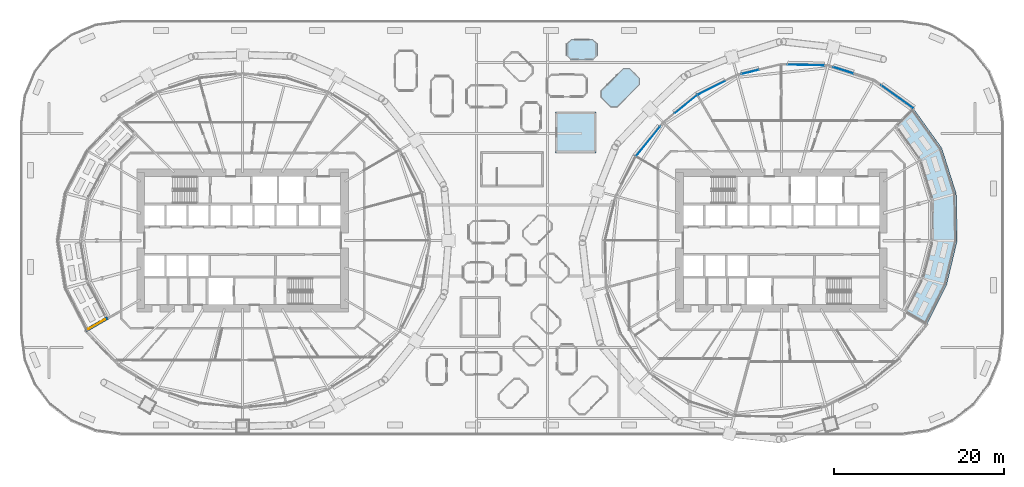
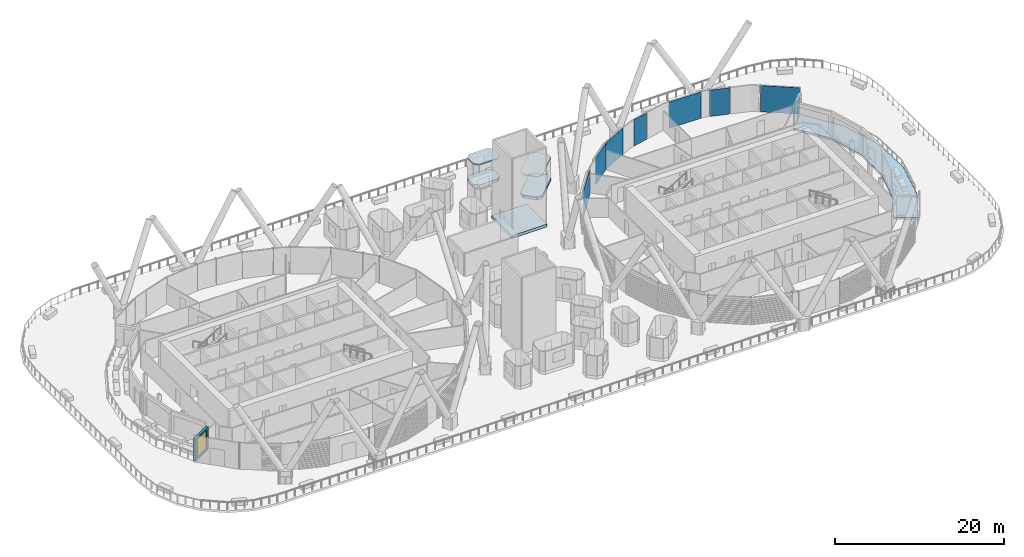
# One storey, part 23 of 47: 7 plates, 6 slabs, 1 wall, 1 window, 1 opening, 1 element without a shape of its own.
"""IFC4 building model written with IfcOpenShell, lengths in metres."""

from ifc_helpers import new_model, si_unit, direction, frame, frame_2d, origin, origin_2d, place, context, subcontext, project, spatial, polyline, rectangle, outline, extrude, material, layer, layer_set, type_object, element, fill, aggregate, save


model = new_model("IFC4")

# Units and contexts
model_context = context("Model", 3, precision=1e-05, world=origin(), true_north=direction((0.0, 1.0)))
body_context = subcontext(model_context, "Body", "Model", "MODEL_VIEW")
ifc_project = project(units=[si_unit("LENGTHUNIT", "METRE"), si_unit("AREAUNIT", "SQUARE_METRE"), si_unit("VOLUMEUNIT", "CUBIC_METRE"), si_unit("PLANEANGLEUNIT", "RADIAN"), si_unit("MASSUNIT", "GRAM", prefix="KILO")], contexts=[model_context])

# Site, building, storey
site_placement = place(None, origin())
site = spatial("IfcSite", under=ifc_project, at=site_placement, CompositionType="ELEMENT")
building_placement = place(site_placement, origin())
building = spatial("IfcBuilding", under=site, at=building_placement, Name="Rimbun Link Towers", CompositionType="ELEMENT")
storey_placement = place(building_placement, frame((0.0, 0.0, 30.0)))
storey = spatial("IfcBuildingStorey", under=building, at=storey_placement, Name="L06", CompositionType="ELEMENT", Elevation=30.0)

# Slabs
ifc_material_1 = material(Name="Concrete C40/50", Category="concrete")
ifc_layer_1 = layer(ifc_material_1, 0.409912109375)
ifc_layer_set_1 = layer_set([ifc_layer_1], Name="CAPSULE plinth slab 410")
slab_type_1 = type_object("IfcSlabType", Name="CAPSULE plinth slab 410", PredefinedType="FLOOR", material=ifc_layer_set_1)
slab_1_placement = place(storey_placement, origin())
element("IfcSlab", 1, at=slab_1_placement, inside=storey, type_object=slab_type_1, Name="Service trunk 2 plinth slab", PredefinedType="FLOOR", context=body_context, shape_type="SweptSolid", body=[
    extrude(outline(polyline([(5.10009765625, 10.35009765625), (9.89990234375, 10.35009765625), (9.89990234375, 15.14990234375), (5.10009765625, 15.14990234375), (5.10009765625, 10.35009765625)])), origin(), (0.0, 0.0, 1.0), 0.409912109375),
])
slab_2_placement = place(storey_placement, origin())
element("IfcSlab", 2, at=slab_2_placement, inside=storey, type_object=slab_type_1, Name="CAPSULE P17 floor panel", PredefinedType="FLOOR", context=body_context, shape_type="SweptSolid", body=[
    extrude(outline(polyline([(13.86669921875, 20.27734375), (13.1181640625, 20.27734375), (10.47265625, 17.6318359375), (10.47265625, 16.88330078125), (11.63330078125, 15.72265625), (12.3818359375, 15.72265625), (15.02734375, 18.3681640625), (15.02734375, 19.11669921875), (13.86669921875, 20.27734375)])), origin(), (0.0, 0.0, 1.0), 0.409912109375),
])
slab_3_placement = place(storey_placement, origin())
element("IfcSlab", 3, at=slab_3_placement, inside=storey, type_object=slab_type_1, Name="CAPSULE P20 floor panel", PredefinedType="FLOOR", context=body_context, shape_type="SweptSolid", body=[
    extrude(outline(polyline([(10.050048828125, 23.170654296875), (9.520751953125, 23.699951171875), (6.979248046875, 23.699951171875), (6.449951171875, 23.170654296875), (6.449951171875, 21.829345703125), (6.979248046875, 21.300048828125), (9.520751953125, 21.300048828125), (10.050048828125, 21.829345703125), (10.050048828125, 23.170654296875)])), origin(), (0.0, 0.0, 1.0), 0.409912109375),
])
ifc_material_2 = material(Name="Insulated metal roof panel with terracotta fascia", Category="masonry")
ifc_layer_2 = layer(ifc_material_2, 0.14990234375)
ifc_layer_set_2 = layer_set([ifc_layer_2], Name="CAPSULE roof panel 150")
slab_type_2 = type_object("IfcSlabType", Name="CAPSULE roof panel 150", PredefinedType="ROOF", material=ifc_layer_set_2)
slab_4_placement = place(storey_placement, frame((0.0, 0.0, 3.260009765625)))
element("IfcSlab", 4, at=slab_4_placement, inside=storey, type_object=slab_type_2, Name="CAPSULE P17 roof panel", PredefinedType="ROOF", context=body_context, shape_type="SweptSolid", body=[
    extrude(outline(polyline([(13.86669921875, 20.27734375), (13.1181640625, 20.27734375), (10.47265625, 17.6318359375), (10.47265625, 16.88330078125), (11.63330078125, 15.72265625), (12.3818359375, 15.72265625), (15.02734375, 18.3681640625), (15.02734375, 19.11669921875), (13.86669921875, 20.27734375)])), origin(), (0.0, 0.0, 1.0), 0.14990234375),
])
slab_5_placement = place(storey_placement, frame((0.0, 0.0, 3.260009765625)))
element("IfcSlab", 5, at=slab_5_placement, inside=storey, type_object=slab_type_2, Name="CAPSULE P20 roof panel", PredefinedType="ROOF", context=body_context, shape_type="SweptSolid", body=[
    extrude(outline(polyline([(10.050048828125, 23.170654296875), (9.520751953125, 23.699951171875), (6.979248046875, 23.699951171875), (6.449951171875, 23.170654296875), (6.449951171875, 21.829345703125), (6.979248046875, 21.300048828125), (9.520751953125, 21.300048828125), (10.050048828125, 21.829345703125), (10.050048828125, 23.170654296875)])), origin(), (0.0, 0.0, 1.0), 0.14990234375),
])

# Curtain wall, plates
ifc_material_3 = material(Name="Aluminium 6063-T6 and low-iron glass", Category="aluminium")
curtain_wall_type = type_object("IfcCurtainWallType", Name="CW1 unitised vision wall", PredefinedType="NOTDEFINED", material=ifc_material_3)
curtain_wall_placement = place(storey_placement, origin())
curtain_wall = element("IfcCurtainWall", 6, at=curtain_wall_placement, inside=storey, type_object=curtain_wall_type, Name="CW1 L06 T2", PredefinedType="NOTDEFINED")
ifc_material_4 = material(Name="Low-iron glass, laminated low-e unit", Category="glass")
ifc_layer_3 = layer(ifc_material_4, 0.028076171875)
ifc_layer_set_3 = layer_set([ifc_layer_3], Name="CW1 panel Low-iron glass 28")
plate_type = type_object("IfcPlateType", Name="CW1 panel Low-iron glass 28", PredefinedType="CURTAIN_PANEL", material=ifc_layer_set_3)
plate_1_placement = place(storey_placement, frame((45.42431640625, 16.939453125, 0.0), z_axis=(0.0, 0.0, 1.0), x_axis=(0.812473502255, -0.58299812018, 0.0)))
plate_1 = element("IfcPlate", 7, at=plate_1_placement, type_object=plate_type, Name="CW1 panel", PredefinedType="CURTAIN_PANEL", context=body_context, shape_type="SweptSolid", body=[
    extrude(rectangle(XDim=4.63525390625, YDim=0.028076171875, at=origin_2d()), origin(), (0.0, 0.0, 1.0), 3.800048828125),
])
plate_2_placement = place(storey_placement, frame((39.044189453125, 20.06884765625, 0.0), z_axis=(0.0, 0.0, 1.0), x_axis=(0.952967107147, -0.303073741351, 0.0)))
plate_2 = element("IfcPlate", 8, at=plate_2_placement, type_object=plate_type, Name="CW1 panel", PredefinedType="CURTAIN_PANEL", context=body_context, shape_type="SweptSolid", body=[
    extrude(rectangle(XDim=2.46533203125, YDim=0.028076171875, at=origin_2d()), origin(), (0.0, 0.0, 1.0), 3.800048828125),
])
plate_3_placement = place(storey_placement, frame((34.662353515625, 20.68603515625, 0.0), z_axis=(0.0, 0.0, 1.0), x_axis=(0.999778089999, -0.021065867113, 0.0)))
plate_3 = element("IfcPlate", 9, at=plate_3_placement, type_object=plate_type, Name="CW1 panel", PredefinedType="CURTAIN_PANEL", context=body_context, shape_type="SweptSolid", body=[
    extrude(rectangle(XDim=4.28564453125, YDim=0.028076171875, at=origin_2d()), origin(), (0.0, 0.0, 1.0), 3.800048828125),
])
plate_4_placement = place(storey_placement, frame((28.0908203125, 19.872802734375, 0.0), z_axis=(0.0, 0.0, 1.0), x_axis=(0.972569455913, 0.23261266824, 0.0)))
plate_4 = element("IfcPlate", 10, at=plate_4_placement, type_object=plate_type, Name="CW1 panel", PredefinedType="CURTAIN_PANEL", context=body_context, shape_type="SweptSolid", body=[
    extrude(rectangle(XDim=2.078125, YDim=0.028076171875, at=origin_2d()), origin(), (0.0, 0.0, 1.0), 3.800048828125),
])
plate_5_placement = place(storey_placement, frame((23.493408203125, 17.97607421875, 0.0), z_axis=(0.0, 0.0, 1.0), x_axis=(0.893645687489, 0.448773200217, 0.0)))
plate_5 = element("IfcPlate", 11, at=plate_5_placement, type_object=plate_type, Name="CW1 panel", PredefinedType="CURTAIN_PANEL", context=body_context, shape_type="SweptSolid", body=[
    extrude(rectangle(XDim=3.639892578125, YDim=0.028076171875, at=origin_2d()), origin(), (0.0, 0.0, 1.0), 3.800048828125),
])
plate_6_placement = place(storey_placement, frame((20.505859375, 16.0634765625, 0.0), z_axis=(0.0, 0.0, 1.0), x_axis=(0.777283304345, 0.629150748856, 0.0)))
plate_6 = element("IfcPlate", 12, at=plate_6_placement, type_object=plate_type, Name="CW1 panel", PredefinedType="CURTAIN_PANEL", context=body_context, shape_type="SweptSolid", body=[
    extrude(rectangle(XDim=3.41015625, YDim=0.028076171875, at=origin_2d()), origin(), (0.0, 0.0, 1.0), 3.800048828125),
])
plate_7_placement = place(storey_placement, frame((16.03271484375, 11.671630859375, 0.0), z_axis=(0.0, 0.0, 1.0), x_axis=(0.629150748856, 0.777283304345, 0.0)))
plate_7 = element("IfcPlate", 13, at=plate_7_placement, type_object=plate_type, Name="CW1 panel", PredefinedType="CURTAIN_PANEL", context=body_context, shape_type="SweptSolid", body=[
    extrude(rectangle(XDim=4.510009765625, YDim=0.028076171875, at=origin_2d()), origin(), (0.0, 0.0, 1.0), 3.800048828125),
])
aggregate(curtain_wall, [plate_1, plate_2, plate_3, plate_4, plate_5, plate_6, plate_7])

# Slab
ifc_material_5 = material(Name="Concrete C35/45", Category="concrete")
ifc_layer_4 = layer(ifc_material_5, 0.300048828125)
ifc_layer_set_4 = layer_set([ifc_layer_4], Name="TERRACE SLAB 300")
slab_type_3 = type_object("IfcSlabType", Name="TERRACE SLAB 300", PredefinedType="FLOOR", material=ifc_layer_set_4)
slab_6_placement = place(storey_placement, frame((0.0, 0.0, -0.300048828125)))
element("IfcSlab", 14, at=slab_6_placement, inside=storey, type_object=slab_type_3, Name="Terrace slab T2 L06", PredefinedType="FLOOR", context=body_context, shape_type="SweptSolid", body=[
    extrude(outline(polyline([(46.289794921875, -8.39453125), (48.337158203125, -4.444580078125), (49.4833984375, 0.0), (49.46923828125, 4.747802734375), (48.054931640625, 9.413818359375), (45.194091796875, 13.444091796875), (47.315185546875, 15.565185546875), (50.653076171875, 10.913818359375), (52.3671875, 5.5244140625), (52.4833984375, 0.0), (51.23486328125, -5.220947265625), (48.8876953125, -9.89453125), (46.289794921875, -8.39453125)])), origin(), (0.0, 0.0, 1.0), 0.300048828125),
])

# Wall, opening, window
ifc_material_6 = material(Name="Dark enamelled glass spandrel on insulated aluminium backpan", Category="aluminium")
ifc_layer_5 = layer(ifc_material_6, 0.3701171875)
ifc_layer_set_5 = layer_set([ifc_layer_5], Name="CS dark enamelled spandrel wall 370")
wall_type = type_object("IfcWallType", Name="CS dark enamelled spandrel wall 370", PredefinedType="STANDARD", material=ifc_layer_set_5)
wall_placement = place(storey_placement, frame((-50.25, -10.60595703125, 0.0), z_axis=(0.0, 0.0, 1.0), x_axis=(0.866031423615, 0.499989573202, 0.0)))
wall = element("IfcWall", 15, at=wall_placement, inside=storey, type_object=wall_type, Name="Crease spandrel wall", PredefinedType="STANDARD", context=body_context, shape_type="SweptSolid", body=[
    extrude(rectangle(XDim=2.97998046875, YDim=0.3701171875, at=frame_2d((1.489990234375, 0.0))), origin(), (0.0, 0.0, 1.0), 3.2236328125),
])
opening_placement = place(wall_placement, frame((0.364990234375, 0.0, 0.300048828125)))
opening = element("IfcOpeningElement", 16, at=opening_placement, cuts=wall, Name="Opening WR22H270", PredefinedType="OPENING", context=body_context, shape_type="SweptSolid", body=[
    extrude(rectangle(XDim=2.25, YDim=2.699951171875, at=frame_2d((1.125, 1.35009765625))), frame((0.0, 0.195068359375, 0.0), z_axis=(0.0, -1.0, 0.0), x_axis=(1.0, 0.0, 0.0)), (0.0, 0.0, 1.0), 0.39013671875),
])
ifc_material_7 = material(Name="Aluminium framed fixed window, dark tinted low-e glass", Category="aluminium")
window_type = type_object("IfcWindowType", Name="WR ribbon window 2250X2700", PartitioningType="SINGLE_PANEL", PredefinedType="WINDOW", material=ifc_material_7)
window_placement = place(opening_placement, origin())
window = element("IfcWindow", 17, at=window_placement, inside=storey, type_object=window_type, Name="Crease ribbon window", OverallHeight=2.699951171875, OverallWidth=2.25, PartitioningType="SINGLE_PANEL", PredefinedType="WINDOW", context=body_context, shape_type="SweptSolid", body=[
    extrude(rectangle(XDim=2.25, YDim=2.699951171875, at=frame_2d((1.125, 1.35009765625))), frame((0.0, 0.030029296875, 0.0), z_axis=(0.0, -1.0, 0.0), x_axis=(1.0, 0.0, 0.0)), (0.0, 0.0, 1.0), 0.06005859375),
])
fill(opening, window)

save(model, "model.ifc")
